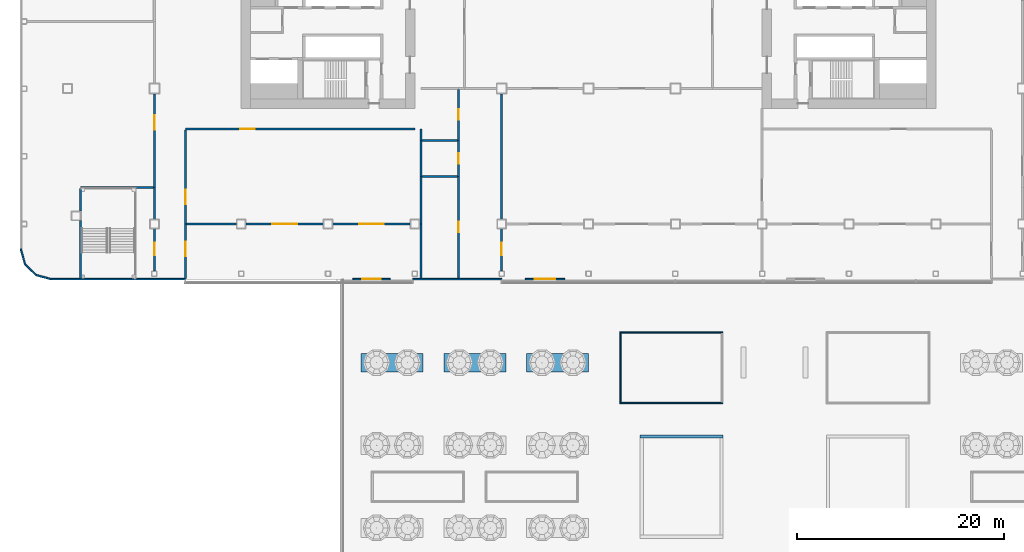
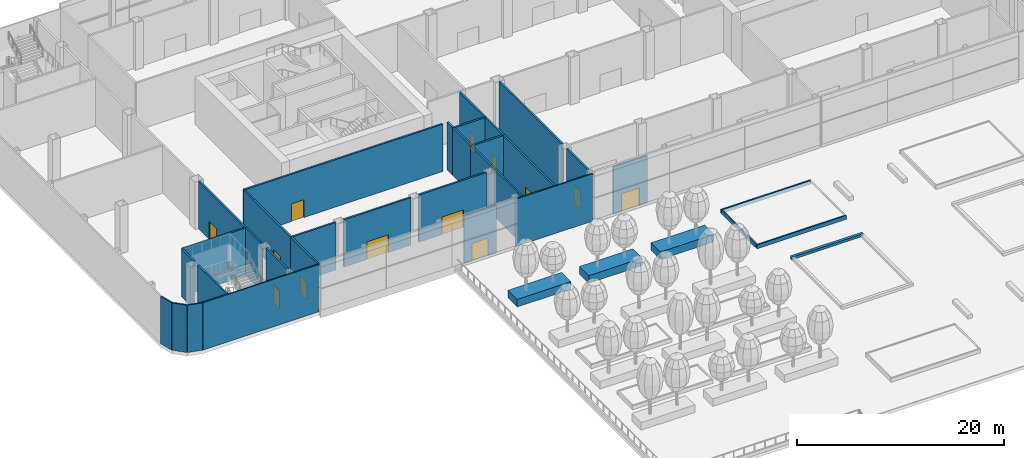
# One storey, part 30 of 100: 37 walls, 13 doors, 13 openings.
"""IFC4 building model written with IfcOpenShell, lengths in metres."""

from ifc_helpers import new_model, si_unit, direction, frame, frame_2d, origin, place, context, subcontext, project, spatial, rectangle, extrude, material, layer, layer_set, type_object, element, fill, save


model = new_model("IFC4")

# Units and contexts
model_context = context("Model", 3, precision=1e-05, world=origin(), true_north=direction((0.0, 1.0)))
body_context = subcontext(model_context, "Body", "Model", "MODEL_VIEW")
ifc_project = project(units=[si_unit("LENGTHUNIT", "METRE"), si_unit("AREAUNIT", "SQUARE_METRE"), si_unit("VOLUMEUNIT", "CUBIC_METRE"), si_unit("PLANEANGLEUNIT", "RADIAN"), si_unit("MASSUNIT", "GRAM", prefix="KILO")], contexts=[model_context])

# Site, building, storey
site_placement = place(None, origin())
site = spatial("IfcSite", under=ifc_project, at=site_placement, CompositionType="ELEMENT")
building_placement = place(site_placement, origin())
building = spatial("IfcBuilding", under=site, at=building_placement, Name="Hakoniwa Tower and Hamabe Station Hall", CompositionType="ELEMENT")
storey_placement = place(building_placement, frame((0.0, 0.0, 9.0)))
storey = spatial("IfcBuildingStorey", under=building, at=storey_placement, Name="L02", CompositionType="ELEMENT", Elevation=9.0)

# Walls
ifc_material_1 = material(Name="Concrete C30", Category="concrete")
ifc_layer_1 = layer(ifc_material_1, 0.300048828125)
ifc_layer_set_1 = layer_set([ifc_layer_1], Name="DECK BASIN WALL 300X300")
wall_type_1 = type_object("IfcWallType", Name="DECK BASIN WALL 300X300", PredefinedType="STANDARD", material=ifc_layer_set_1)
wall_1_placement = place(storey_placement, frame((5.0, -40.14990234375, 0.0), z_axis=(0.0, 0.0, 1.0), x_axis=(1.0, 0.0, 0.0)))
element("IfcWall", 1, at=wall_1_placement, inside=storey, type_object=wall_type_1, Name="Water feature 1 wall 2", PredefinedType="STANDARD", context=body_context, shape_type="SweptSolid", body=[
    extrude(rectangle(XDim=8.0, YDim=0.300048828125, at=frame_2d((4.0, 0.0))), origin(), (0.0, 0.0, 1.0), 0.300048828125),
])
ifc_material_2 = material(Name="Concrete C30", Category="concrete")
ifc_layer_2 = layer(ifc_material_2, 0.14990234375)
ifc_layer_set_2 = layer_set([ifc_layer_2], Name="DECK BED KERB 150X450")
wall_type_2 = type_object("IfcWallType", Name="DECK BED KERB 150X450", PredefinedType="STANDARD", material=ifc_layer_set_2)
for number, where, z_axis, x_axis, name in (
    (2, (3.0, -36.925048828125, 0.0), (0.0, 0.0, 1.0), (1.0, 0.0, 0.0), "Planting bed 03 kerb 1"),
    (3, (3.0, -30.074951171875, 0.0), (0.0, 0.0, 1.0), (1.0, 0.0, 0.0), "Planting bed 03 kerb 2"),
):
    element("IfcWall", number, at=place(storey_placement, frame(where, z_axis=z_axis, x_axis=x_axis)), inside=storey, type_object=wall_type_2, Name=name, PredefinedType="STANDARD", context=body_context, shape_type="SweptSolid", body=[
        extrude(rectangle(XDim=10.0, YDim=0.14990234375, at=frame_2d((5.0, 0.0))), origin(), (0.0, 0.0, 1.0), 0.449951171875),
    ])
wall_2_placement = place(storey_placement, frame((3.074951171875, -36.85009765625, 0.0), z_axis=(0.0, 0.0, 1.0), x_axis=(0.0, 1.0, 0.0)))
element("IfcWall", 4, at=wall_2_placement, inside=storey, type_object=wall_type_2, Name="Planting bed 03 kerb 3", PredefinedType="STANDARD", context=body_context, shape_type="SweptSolid", body=[
    extrude(rectangle(XDim=6.7001953125, YDim=0.14990234375, at=frame_2d((3.35009765625, 0.0))), origin(), (0.0, 0.0, 1.0), 0.449951171875),
])
ifc_material_3 = material(Name="Concrete C30", Category="concrete")
ifc_layer_3 = layer(ifc_material_3, 1.800048828125)
ifc_layer_set_3 = layer_set([ifc_layer_3], Name="DECK PLANTER 1800 WIDE 900 DEEP")
wall_type_3 = type_object("IfcWallType", Name="DECK PLANTER 1800 WIDE 900 DEEP", PredefinedType="STANDARD", material=ifc_layer_set_3)
for number, where, z_axis, x_axis, name in (
    (5, (-22.0, -33.0, 0.0), (0.0, 0.0, 1.0), (1.0, 0.0, 0.0), "Planter 19"),
    (6, (-14.0, -33.0, 0.0), (0.0, 0.0, 1.0), (1.0, 0.0, 0.0), "Planter 20"),
    (7, (-6.0, -33.0, 0.0), (0.0, 0.0, 1.0), (1.0, 0.0, 0.0), "Planter 21"),
):
    element("IfcWall", number, at=place(storey_placement, frame(where, z_axis=z_axis, x_axis=x_axis)), inside=storey, type_object=wall_type_3, Name=name, PredefinedType="STANDARD", context=body_context, shape_type="SweptSolid", body=[
        extrude(rectangle(XDim=6.0, YDim=1.800048828125, at=frame_2d((3.0, 0.0))), origin(), (0.0, 0.0, 1.0), 0.89990234375),
    ])

# Wall, opening, door
ifc_material_4 = material(Name="Dark glass-faced aluminium panel", Category="aluminium")
ifc_layer_4 = layer(ifc_material_4, 0.14990234375)
ifc_layer_set_4 = layer_set([ifc_layer_4], Name="EXTERNAL WALL 150 EI 60")
wall_type_4 = type_object("IfcWallType", Name="EXTERNAL WALL 150 EI 60", PredefinedType="STANDARD", material=ifc_layer_set_4)
wall_3_placement = place(storey_placement, frame((-2.300048828125, -24.925048828125, 0.0), z_axis=(0.0, 0.0, 1.0), x_axis=(-1.0, 0.0, 0.0)))
wall_3 = element("IfcWall", 8, at=wall_3_placement, inside=storey, type_object=wall_type_4, Name="External wall L02 4-3", PredefinedType="STANDARD", context=body_context, shape_type="SweptSolid", body=[
    extrude(rectangle(XDim=3.800048828125, YDim=0.14990234375, at=frame_2d((1.89990234375, 0.0))), origin(), (0.0, 0.0, 1.0), 5.60009765625),
])
opening_1_placement = place(wall_3_placement, frame((0.89990234375, 0.0, 0.0)))
opening_1 = element("IfcOpeningElement", 9, at=opening_1_placement, cuts=wall_3, Name="Opening ED-S-10", PredefinedType="OPENING", context=body_context, shape_type="SweptSolid", body=[
    extrude(rectangle(XDim=2.0, YDim=2.10009765625, at=frame_2d((1.0, 1.050048828125))), frame((0.0, 0.0849609375, 0.0), z_axis=(0.0, -1.0, 0.0), x_axis=(1.0, 0.0, 0.0)), (0.0, 0.0, 1.0), 0.169921875),
])
ifc_material_5 = material(Name="Glazed aluminium door", Category="aluminium")
door_type_1 = type_object("IfcDoorType", Name="DOUBLE GLAZED DOOR 2000X2100", OperationType="DOUBLE_DOOR_DOUBLE_SWING", PredefinedType="DOOR", material=ifc_material_5)
door_1_placement = place(opening_1_placement, origin())
door_1 = element("IfcDoor", 10, at=door_1_placement, inside=storey, type_object=door_type_1, Name="Entrance door", OperationType="DOUBLE_DOOR_DOUBLE_SWING", OverallHeight=2.10009765625, OverallWidth=2.0, PredefinedType="DOOR", context=body_context, shape_type="SweptSolid", body=[
    extrude(rectangle(XDim=2.0, YDim=2.10009765625, at=frame_2d((1.0, 1.050048828125))), frame((0.0, 0.02490234375, 0.0), z_axis=(0.0, -1.0, 0.0), x_axis=(1.0, 0.0, 0.0)), (0.0, 0.0, 1.0), 0.050048828125),
])
fill(opening_1, door_1)

# Wall
wall_4_placement = place(storey_placement, frame((-8.39990234375, -24.925048828125, 0.0), z_axis=(0.0, 0.0, 1.0), x_axis=(-1.0, 0.0, 0.0)))
element("IfcWall", 11, at=wall_4_placement, inside=storey, type_object=wall_type_4, Name="External wall L02 4-4", PredefinedType="STANDARD", context=body_context, shape_type="SweptSolid", body=[
    extrude(rectangle(XDim=8.60009765625, YDim=0.14990234375, at=frame_2d((4.300048828125, 0.0))), origin(), (0.0, 0.0, 1.0), 5.60009765625),
])

# Wall, opening, door
wall_5_placement = place(storey_placement, frame((-19.199951171875, -24.925048828125, 0.0), z_axis=(0.0, 0.0, 1.0), x_axis=(-1.0, 0.0, 0.0)))
wall_5 = element("IfcWall", 12, at=wall_5_placement, inside=storey, type_object=wall_type_4, Name="External wall L02 4-5", PredefinedType="STANDARD", context=body_context, shape_type="SweptSolid", body=[
    extrude(rectangle(XDim=3.60009765625, YDim=0.14990234375, at=frame_2d((1.800048828125, 0.0))), origin(), (0.0, 0.0, 1.0), 5.60009765625),
])
opening_2_placement = place(wall_5_placement, frame((0.89990234375, 0.0, 0.0)))
opening_2 = element("IfcOpeningElement", 13, at=opening_2_placement, cuts=wall_5, Name="Opening ED-S-09", PredefinedType="OPENING", context=body_context, shape_type="SweptSolid", body=[
    extrude(rectangle(XDim=1.800048828125, YDim=2.10009765625, at=frame_2d((0.89990234375, 1.050048828125))), frame((0.0, 0.0849609375, 0.0), z_axis=(0.0, -1.0, 0.0), x_axis=(1.0, 0.0, 0.0)), (0.0, 0.0, 1.0), 0.169921875),
])
ifc_material_6 = material(Name="Glazed aluminium door", Category="aluminium")
door_type_2 = type_object("IfcDoorType", Name="DOUBLE GLAZED DOOR 1800X2100", OperationType="DOUBLE_DOOR_DOUBLE_SWING", PredefinedType="DOOR", material=ifc_material_6)
door_2_placement = place(opening_2_placement, origin())
door_2 = element("IfcDoor", 14, at=door_2_placement, inside=storey, type_object=door_type_2, Name="Entrance door", OperationType="DOUBLE_DOOR_DOUBLE_SWING", OverallHeight=2.10009765625, OverallWidth=1.800048828125, PredefinedType="DOOR", context=body_context, shape_type="SweptSolid", body=[
    extrude(rectangle(XDim=1.800048828125, YDim=2.10009765625, at=frame_2d((0.89990234375, 1.050048828125))), frame((0.0, 0.02490234375, 0.0), z_axis=(0.0, -1.0, 0.0), x_axis=(1.0, 0.0, 0.0)), (0.0, 0.0, 1.0), 0.050048828125),
])
fill(opening_2, door_2)

# Walls
wall_6_placement = place(storey_placement, frame((-39.0, -24.925048828125, 0.0), z_axis=(0.0, 0.0, 1.0), x_axis=(-1.0, 0.0, 0.0)))
element("IfcWall", 15, at=wall_6_placement, inside=storey, type_object=wall_type_4, Name="External wall L02 4-6", PredefinedType="STANDARD", context=body_context, shape_type="SweptSolid", body=[
    extrude(rectangle(XDim=12.980224609375, YDim=0.14990234375, at=frame_2d((6.490234375, 0.0))), origin(), (0.0, 0.0, 1.0), 5.60009765625),
])
wall_7_placement = place(storey_placement, frame((-51.999755859375, -24.92236328125, 0.0), z_axis=(0.0, 0.0, 1.0), x_axis=(-0.965946591624, 0.258741535379, 0.0)))
element("IfcWall", 16, at=wall_7_placement, inside=storey, type_object=wall_type_4, Name="External wall L02 5-1", PredefinedType="STANDARD", context=body_context, shape_type="SweptSolid", body=[
    extrude(rectangle(XDim=1.49267578125, YDim=0.14990234375, at=frame_2d((0.746337890625, 0.0))), origin(), (0.0, 0.0, 1.0), 5.60009765625),
])
wall_8_placement = place(storey_placement, frame((-53.475341796875, -24.5166015625, 0.0), z_axis=(0.0, 0.0, 1.0), x_axis=(-0.707106781187, 0.707106781187, 0.0)))
element("IfcWall", 17, at=wall_8_placement, inside=storey, type_object=wall_type_4, Name="External wall L02 6-1", PredefinedType="STANDARD", context=body_context, shape_type="SweptSolid", body=[
    extrude(rectangle(XDim=1.47265625, YDim=0.14990234375, at=frame_2d((0.736328125, 0.0))), origin(), (0.0, 0.0, 1.0), 5.60009765625),
])
wall_9_placement = place(storey_placement, frame((-54.5361328125, -23.441650390625, 0.0), z_axis=(0.0, 0.0, 1.0), x_axis=(-0.258741535379, 0.965946591624, 0.0)))
element("IfcWall", 18, at=wall_9_placement, inside=storey, type_object=wall_type_4, Name="External wall L02 7-1", PredefinedType="STANDARD", context=body_context, shape_type="SweptSolid", body=[
    extrude(rectangle(XDim=1.49267578125, YDim=0.14990234375, at=frame_2d((0.746337890625, 0.0))), origin(), (0.0, 0.0, 1.0), 5.60009765625),
])

# Wall, opening, door
ifc_material_7 = material(Name="Fire-rated gypsum board partition")
ifc_layer_5 = layer(ifc_material_7, 0.199951171875)
ifc_layer_set_5 = layer_set([ifc_layer_5], Name="FIRE PARTITION 200 EI 60")
wall_type_5 = type_object("IfcWallType", Name="FIRE PARTITION 200 EI 60", PredefinedType="PARTITIONING", material=ifc_layer_set_5)
wall_10_placement = place(storey_placement, frame((-17.25, -19.60009765625, 0.0), z_axis=(0.0, 0.0, 1.0), x_axis=(-1.0, 0.0, 0.0)))
wall_10 = element("IfcWall", 19, at=wall_10_placement, inside=storey, type_object=wall_type_5, Name="Wall Kaede Terrace Restaurant / Kaede Terrace Gallery", PredefinedType="PARTITIONING", context=body_context, shape_type="SweptSolid", body=[
    extrude(rectangle(XDim=7.5, YDim=0.199951171875, at=frame_2d((3.75, 0.0))), origin(), (0.0, 0.0, 1.0), 5.60009765625),
])
opening_3_placement = place(wall_10_placement, frame((2.550048828125, 0.0, 0.0)))
opening_3 = element("IfcOpeningElement", 20, at=opening_3_placement, cuts=wall_10, Name="Opening PD-L02-019", PredefinedType="OPENING", context=body_context, shape_type="SweptSolid", body=[
    extrude(rectangle(XDim=2.39990234375, YDim=2.10009765625, at=frame_2d((1.199951171875, 1.050048828125))), frame((0.0, 0.10986328125, 0.0), z_axis=(0.0, -1.0, 0.0), x_axis=(1.0, 0.0, 0.0)), (0.0, 0.0, 1.0), 0.219970703125),
])
ifc_material_8 = material(Name="Glazed aluminium door", Category="aluminium")
door_type_3 = type_object("IfcDoorType", Name="DOUBLE GLAZED DOOR 2400X2100", OperationType="DOUBLE_DOOR_DOUBLE_SWING", PredefinedType="DOOR", material=ifc_material_8)
door_3_placement = place(opening_3_placement, origin())
door_3 = element("IfcDoor", 21, at=door_3_placement, inside=storey, type_object=door_type_3, Name="Door PD-L02-019", OperationType="DOUBLE_DOOR_DOUBLE_SWING", OverallHeight=2.10009765625, OverallWidth=2.39990234375, PredefinedType="DOOR", context=body_context, shape_type="SweptSolid", body=[
    extrude(rectangle(XDim=2.39990234375, YDim=2.10009765625, at=frame_2d((1.199951171875, 1.050048828125))), frame((0.0, 0.02490234375, 0.0), z_axis=(0.0, -1.0, 0.0), x_axis=(1.0, 0.0, 0.0)), (0.0, 0.0, 1.0), 0.050048828125),
])
fill(opening_3, door_3)

wall_11_placement = place(storey_placement, frame((-25.64990234375, -19.60009765625, 0.0), z_axis=(0.0, 0.0, 1.0), x_axis=(-1.0, 0.0, 0.0)))
wall_11 = element("IfcWall", 22, at=wall_11_placement, inside=storey, type_object=wall_type_5, Name="Wall Kaede Terrace Restaurant / Kaede Terrace Gallery", PredefinedType="PARTITIONING", context=body_context, shape_type="SweptSolid", body=[
    extrude(rectangle(XDim=7.5, YDim=0.199951171875, at=frame_2d((3.75, 0.0))), origin(), (0.0, 0.0, 1.0), 5.60009765625),
])
opening_4_placement = place(wall_11_placement, frame((2.550048828125, 0.0, 0.0)))
opening_4 = element("IfcOpeningElement", 23, at=opening_4_placement, cuts=wall_11, Name="Opening PD-L02-018", PredefinedType="OPENING", context=body_context, shape_type="SweptSolid", body=[
    extrude(rectangle(XDim=2.39990234375, YDim=2.10009765625, at=frame_2d((1.199951171875, 1.050048828125))), frame((0.0, 0.10986328125, 0.0), z_axis=(0.0, -1.0, 0.0), x_axis=(1.0, 0.0, 0.0)), (0.0, 0.0, 1.0), 0.219970703125),
])
door_4_placement = place(opening_4_placement, origin())
door_4 = element("IfcDoor", 24, at=door_4_placement, inside=storey, type_object=door_type_3, Name="Door PD-L02-018", OperationType="DOUBLE_DOOR_DOUBLE_SWING", OverallHeight=2.10009765625, OverallWidth=2.39990234375, PredefinedType="DOOR", context=body_context, shape_type="SweptSolid", body=[
    extrude(rectangle(XDim=2.39990234375, YDim=2.10009765625, at=frame_2d((1.199951171875, 1.050048828125))), frame((0.0, 0.02490234375, 0.0), z_axis=(0.0, -1.0, 0.0), x_axis=(1.0, 0.0, 0.0)), (0.0, 0.0, 1.0), 0.050048828125),
])
fill(opening_4, door_4)

# Walls
wall_12_placement = place(storey_placement, frame((-34.050048828125, -19.60009765625, 0.0), z_axis=(0.0, 0.0, 1.0), x_axis=(-1.0, 0.0, 0.0)))
element("IfcWall", 25, at=wall_12_placement, inside=storey, type_object=wall_type_5, Name="Wall Kaede Terrace Restaurant / Kaede Terrace Gallery", PredefinedType="PARTITIONING", context=body_context, shape_type="SweptSolid", body=[
    extrude(rectangle(XDim=4.849853515625, YDim=0.199951171875, at=frame_2d((2.4248046875, 0.0))), origin(), (0.0, 0.0, 1.0), 5.60009765625),
])
wall_13_placement = place(storey_placement, frame((-16.199951171875, -15.0, 0.0), z_axis=(0.0, 0.0, 1.0), x_axis=(0.0, 1.0, 0.0)))
element("IfcWall", 26, at=wall_13_placement, inside=storey, type_object=wall_type_5, Name="Wall Accessible WC / Kaede Terrace Restaurant", PredefinedType="PARTITIONING", context=body_context, shape_type="SweptSolid", body=[
    extrude(rectangle(XDim=3.5, YDim=0.199951171875, at=frame_2d((1.75, 0.0))), origin(), (0.0, 0.0, 1.0), 5.60009765625),
])
wall_14_placement = place(storey_placement, frame((-16.10009765625, -11.5, 0.0), z_axis=(0.0, 0.0, 1.0), x_axis=(1.0, 0.0, 0.0)))
element("IfcWall", 27, at=wall_14_placement, inside=storey, type_object=wall_type_5, Name="Wall Accessible WC / Men's WC", PredefinedType="PARTITIONING", context=body_context, shape_type="SweptSolid", body=[
    extrude(rectangle(XDim=3.400146484375, YDim=0.199951171875, at=frame_2d((1.7001953125, 0.0))), origin(), (0.0, 0.0, 1.0), 5.60009765625),
])

# Wall, opening, door
wall_15_placement = place(storey_placement, frame((-8.39990234375, -20.050048828125, 0.0), z_axis=(0.0, 0.0, 1.0), x_axis=(0.0, -1.0, 0.0)))
wall_15 = element("IfcWall", 28, at=wall_15_placement, inside=storey, type_object=wall_type_5, Name="Wall WC Lobby / Garden Lobby", PredefinedType="PARTITIONING", context=body_context, shape_type="SweptSolid", body=[
    extrude(rectangle(XDim=4.099853515625, YDim=0.199951171875, at=frame_2d((2.0498046875, 0.0))), origin(), (0.0, 0.0, 1.0), 5.60009765625),
])
opening_5_placement = place(wall_15_placement, frame((1.35009765625, 0.0, 0.0)))
opening_5 = element("IfcOpeningElement", 29, at=opening_5_placement, cuts=wall_15, Name="Opening PD-L02-010", PredefinedType="OPENING", context=body_context, shape_type="SweptSolid", body=[
    extrude(rectangle(XDim=1.199951171875, YDim=2.10009765625, at=frame_2d((0.60009765625, 1.050048828125))), frame((0.0, 0.10986328125, 0.0), z_axis=(0.0, -1.0, 0.0), x_axis=(1.0, 0.0, 0.0)), (0.0, 0.0, 1.0), 0.219970703125),
])
ifc_material_9 = material(Name="Timber door leaf", Category="wood")
door_type_4 = type_object("IfcDoorType", Name="SINGLE DOOR 1200X2100", OperationType="SINGLE_SWING_LEFT", PredefinedType="DOOR", material=ifc_material_9)
door_5_placement = place(opening_5_placement, origin())
door_5 = element("IfcDoor", 30, at=door_5_placement, inside=storey, type_object=door_type_4, Name="Door PD-L02-010", OperationType="SINGLE_SWING_RIGHT", OverallHeight=2.10009765625, OverallWidth=1.199951171875, PredefinedType="DOOR", context=body_context, shape_type="SweptSolid", body=[
    extrude(rectangle(XDim=1.199951171875, YDim=2.10009765625, at=frame_2d((0.60009765625, 1.050048828125))), frame((0.0, 0.02490234375, 0.0), z_axis=(0.0, -1.0, 0.0), x_axis=(1.0, 0.0, 0.0)), (0.0, 0.0, 1.0), 0.050048828125),
])
fill(opening_5, door_5)

# Wall
wall_16_placement = place(storey_placement, frame((-8.39990234375, -7.0, 0.0), z_axis=(0.0, 0.0, 1.0), x_axis=(0.0, -1.0, 0.0)))
element("IfcWall", 31, at=wall_16_placement, inside=storey, type_object=wall_type_5, Name="Wall WC Lobby / Garden Tea Room", PredefinedType="PARTITIONING", context=body_context, shape_type="SweptSolid", body=[
    extrude(rectangle(XDim=12.14990234375, YDim=0.199951171875, at=frame_2d((6.074951171875, 0.0))), origin(), (0.0, 0.0, 1.0), 5.60009765625),
])

# Wall, opening, door
wall_17_placement = place(storey_placement, frame((-12.60009765625, -15.0, 0.0), z_axis=(0.0, 0.0, 1.0), x_axis=(0.0, 1.0, 0.0)))
wall_17 = element("IfcWall", 32, at=wall_17_placement, inside=storey, type_object=wall_type_5, Name="Wall WC Lobby / Accessible WC", PredefinedType="PARTITIONING", context=body_context, shape_type="SweptSolid", body=[
    extrude(rectangle(XDim=3.5, YDim=0.199951171875, at=frame_2d((1.75, 0.0))), origin(), (0.0, 0.0, 1.0), 5.60009765625),
])
opening_6_placement = place(wall_17_placement, frame((1.25, 0.0, 0.0)))
opening_6 = element("IfcOpeningElement", 33, at=opening_6_placement, cuts=wall_17, Name="Opening PD-L02-012", PredefinedType="OPENING", context=body_context, shape_type="SweptSolid", body=[
    extrude(rectangle(XDim=1.0, YDim=2.10009765625, at=frame_2d((0.5, 1.050048828125))), frame((0.0, 0.10986328125, 0.0), z_axis=(0.0, -1.0, 0.0), x_axis=(1.0, 0.0, 0.0)), (0.0, 0.0, 1.0), 0.219970703125),
])
ifc_material_10 = material(Name="Timber door leaf", Category="wood")
door_type_5 = type_object("IfcDoorType", Name="SINGLE DOOR 1000X2100", OperationType="SINGLE_SWING_LEFT", PredefinedType="DOOR", material=ifc_material_10)
door_6_placement = place(opening_6_placement, origin())
door_6 = element("IfcDoor", 34, at=door_6_placement, inside=storey, type_object=door_type_5, Name="Door PD-L02-012", OperationType="SINGLE_SWING_RIGHT", OverallHeight=2.10009765625, OverallWidth=1.0, PredefinedType="DOOR", context=body_context, shape_type="SweptSolid", body=[
    extrude(rectangle(XDim=1.0, YDim=2.10009765625, at=frame_2d((0.5, 1.050048828125))), frame((0.0, 0.02490234375, 0.0), z_axis=(0.0, -1.0, 0.0), x_axis=(1.0, 0.0, 0.0)), (0.0, 0.0, 1.0), 0.050048828125),
])
fill(opening_6, door_6)

wall_18_placement = place(storey_placement, frame((-12.60009765625, -11.5, 0.0), z_axis=(0.0, 0.0, 1.0), x_axis=(0.0, 1.0, 0.0)))
wall_18 = element("IfcWall", 35, at=wall_18_placement, inside=storey, type_object=wall_type_5, Name="Wall WC Lobby / Men's WC", PredefinedType="PARTITIONING", context=body_context, shape_type="SweptSolid", body=[
    extrude(rectangle(XDim=4.89990234375, YDim=0.199951171875, at=frame_2d((2.449951171875, 0.0))), origin(), (0.0, 0.0, 1.0), 5.60009765625),
])
opening_7_placement = place(wall_18_placement, frame((2.0, 0.0, 0.0)))
opening_7 = element("IfcOpeningElement", 36, at=opening_7_placement, cuts=wall_18, Name="Opening PD-L02-011", PredefinedType="OPENING", context=body_context, shape_type="SweptSolid", body=[
    extrude(rectangle(XDim=1.0, YDim=2.10009765625, at=frame_2d((0.5, 1.050048828125))), frame((0.0, 0.10986328125, 0.0), z_axis=(0.0, -1.0, 0.0), x_axis=(1.0, 0.0, 0.0)), (0.0, 0.0, 1.0), 0.219970703125),
])
door_7_placement = place(opening_7_placement, origin())
door_7 = element("IfcDoor", 37, at=door_7_placement, inside=storey, type_object=door_type_5, Name="Door PD-L02-011", OperationType="SINGLE_SWING_LEFT", OverallHeight=2.10009765625, OverallWidth=1.0, PredefinedType="DOOR", context=body_context, shape_type="SweptSolid", body=[
    extrude(rectangle(XDim=1.0, YDim=2.10009765625, at=frame_2d((0.5, 1.050048828125))), frame((0.0, 0.02490234375, 0.0), z_axis=(0.0, -1.0, 0.0), x_axis=(1.0, 0.0, 0.0)), (0.0, 0.0, 1.0), 0.050048828125),
])
fill(opening_7, door_7)

wall_19_placement = place(storey_placement, frame((-12.60009765625, -24.85009765625, 0.0), z_axis=(0.0, 0.0, 1.0), x_axis=(0.0, 1.0, 0.0)))
wall_19 = element("IfcWall", 38, at=wall_19_placement, inside=storey, type_object=wall_type_5, Name="Wall WC Lobby / Women's WC", PredefinedType="PARTITIONING", context=body_context, shape_type="SweptSolid", body=[
    extrude(rectangle(XDim=9.85009765625, YDim=0.199951171875, at=frame_2d((4.925048828125, 0.0))), origin(), (0.0, 0.0, 1.0), 5.60009765625),
])
opening_8_placement = place(wall_19_placement, frame((4.449951171875, 0.0, 0.0)))
opening_8 = element("IfcOpeningElement", 39, at=opening_8_placement, cuts=wall_19, Name="Opening PD-L02-013", PredefinedType="OPENING", context=body_context, shape_type="SweptSolid", body=[
    extrude(rectangle(XDim=1.0, YDim=2.10009765625, at=frame_2d((0.5, 1.050048828125))), frame((0.0, 0.10986328125, 0.0), z_axis=(0.0, -1.0, 0.0), x_axis=(1.0, 0.0, 0.0)), (0.0, 0.0, 1.0), 0.219970703125),
])
door_8_placement = place(opening_8_placement, origin())
door_8 = element("IfcDoor", 40, at=door_8_placement, inside=storey, type_object=door_type_5, Name="Door PD-L02-013", OperationType="SINGLE_SWING_LEFT", OverallHeight=2.10009765625, OverallWidth=1.0, PredefinedType="DOOR", context=body_context, shape_type="SweptSolid", body=[
    extrude(rectangle(XDim=1.0, YDim=2.10009765625, at=frame_2d((0.5, 1.050048828125))), frame((0.0, 0.02490234375, 0.0), z_axis=(0.0, -1.0, 0.0), x_axis=(1.0, 0.0, 0.0)), (0.0, 0.0, 1.0), 0.050048828125),
])
fill(opening_8, door_8)

# Walls
wall_20_placement = place(storey_placement, frame((-16.199951171875, -11.5, 0.0), z_axis=(0.0, 0.0, 1.0), x_axis=(0.0, 1.0, 0.0)))
element("IfcWall", 41, at=wall_20_placement, inside=storey, type_object=wall_type_5, Name="Wall Men's WC / Kaede Terrace Restaurant", PredefinedType="PARTITIONING", context=body_context, shape_type="SweptSolid", body=[
    extrude(rectangle(XDim=1.10009765625, YDim=0.199951171875, at=frame_2d((0.550048828125, 0.0))), origin(), (0.0, 0.0, 1.0), 5.60009765625),
])
wall_21_placement = place(storey_placement, frame((-16.199951171875, -19.60009765625, 0.0), z_axis=(0.0, 0.0, 1.0), x_axis=(0.0, 1.0, 0.0)))
element("IfcWall", 42, at=wall_21_placement, inside=storey, type_object=wall_type_5, Name="Wall Women's WC / Kaede Terrace Restaurant", PredefinedType="PARTITIONING", context=body_context, shape_type="SweptSolid", body=[
    extrude(rectangle(XDim=4.60009765625, YDim=0.199951171875, at=frame_2d((2.300048828125, 0.0))), origin(), (0.0, 0.0, 1.0), 5.60009765625),
])
wall_22_placement = place(storey_placement, frame((-16.199951171875, -24.85009765625, 0.0), z_axis=(0.0, 0.0, 1.0), x_axis=(0.0, 1.0, 0.0)))
element("IfcWall", 43, at=wall_22_placement, inside=storey, type_object=wall_type_5, Name="Wall Women's WC / Kaede Terrace Gallery", PredefinedType="PARTITIONING", context=body_context, shape_type="SweptSolid", body=[
    extrude(rectangle(XDim=5.25, YDim=0.199951171875, at=frame_2d((2.625, 0.0))), origin(), (0.0, 0.0, 1.0), 5.60009765625),
])
wall_23_placement = place(storey_placement, frame((-16.10009765625, -15.0, 0.0), z_axis=(0.0, 0.0, 1.0), x_axis=(1.0, 0.0, 0.0)))
element("IfcWall", 44, at=wall_23_placement, inside=storey, type_object=wall_type_5, Name="Wall Women's WC / Accessible WC", PredefinedType="PARTITIONING", context=body_context, shape_type="SweptSolid", body=[
    extrude(rectangle(XDim=3.400146484375, YDim=0.199951171875, at=frame_2d((1.7001953125, 0.0))), origin(), (0.0, 0.0, 1.0), 5.60009765625),
])

# Wall, opening, door
wall_24_placement = place(storey_placement, frame((-42.0, -16.050048828125, 0.0), z_axis=(0.0, 0.0, 1.0), x_axis=(0.0, 1.0, 0.0)))
wall_24 = element("IfcWall", 45, at=wall_24_placement, inside=storey, type_object=wall_type_5, Name="Wall West Service Corridor / Restaurant Kitchen", PredefinedType="PARTITIONING", context=body_context, shape_type="SweptSolid", body=[
    extrude(rectangle(XDim=9.050048828125, YDim=0.199951171875, at=frame_2d((4.52490234375, 0.0))), origin(), (0.0, 0.0, 1.0), 5.60009765625),
])
opening_9_placement = place(wall_24_placement, frame((5.574951171875, 0.0, 0.0)))
opening_9 = element("IfcOpeningElement", 46, at=opening_9_placement, cuts=wall_24, Name="Opening PD-L02-032", PredefinedType="OPENING", context=body_context, shape_type="SweptSolid", body=[
    extrude(rectangle(XDim=1.39990234375, YDim=2.10009765625, at=frame_2d((0.699951171875, 1.050048828125))), frame((0.0, 0.10986328125, 0.0), z_axis=(0.0, -1.0, 0.0), x_axis=(1.0, 0.0, 0.0)), (0.0, 0.0, 1.0), 0.219970703125),
])
ifc_material_11 = material(Name="Steel fire door", Category="steel")
door_type_6 = type_object("IfcDoorType", Name="FIRE DOOR 1400X2100 FD60", OperationType="SINGLE_SWING_LEFT", PredefinedType="DOOR", material=ifc_material_11)
door_9_placement = place(opening_9_placement, origin())
door_9 = element("IfcDoor", 47, at=door_9_placement, inside=storey, type_object=door_type_6, Name="Door PD-L02-032", OperationType="SINGLE_SWING_RIGHT", OverallHeight=2.10009765625, OverallWidth=1.39990234375, PredefinedType="DOOR", context=body_context, shape_type="SweptSolid", body=[
    extrude(rectangle(XDim=1.39990234375, YDim=2.10009765625, at=frame_2d((0.699951171875, 1.050048828125))), frame((0.0, 0.02490234375, 0.0), z_axis=(0.0, -1.0, 0.0), x_axis=(1.0, 0.0, 0.0)), (0.0, 0.0, 1.0), 0.050048828125),
])
fill(opening_9, door_9)

wall_25_placement = place(storey_placement, frame((-39.0, -10.5, 0.0), z_axis=(0.0, 0.0, 1.0), x_axis=(0.0, -1.0, 0.0)))
wall_25 = element("IfcWall", 48, at=wall_25_placement, inside=storey, type_object=wall_type_5, Name="Wall West Service Corridor / Kaede Terrace Restaurant", PredefinedType="PARTITIONING", context=body_context, shape_type="SweptSolid", body=[
    extrude(rectangle(XDim=9.10009765625, YDim=0.199951171875, at=frame_2d((4.550048828125, 0.0))), origin(), (0.0, 0.0, 1.0), 5.60009765625),
])
opening_10_placement = place(wall_25_placement, frame((5.800048828125, 0.0, 0.0)))
opening_10 = element("IfcOpeningElement", 49, at=opening_10_placement, cuts=wall_25, Name="Opening PD-L02-015", PredefinedType="OPENING", context=body_context, shape_type="SweptSolid", body=[
    extrude(rectangle(XDim=1.39990234375, YDim=2.10009765625, at=frame_2d((0.699951171875, 1.050048828125))), frame((0.0, 0.10986328125, 0.0), z_axis=(0.0, -1.0, 0.0), x_axis=(1.0, 0.0, 0.0)), (0.0, 0.0, 1.0), 0.219970703125),
])
door_10_placement = place(opening_10_placement, origin())
door_10 = element("IfcDoor", 50, at=door_10_placement, inside=storey, type_object=door_type_6, Name="Door PD-L02-015", OperationType="SINGLE_SWING_LEFT", OverallHeight=2.10009765625, OverallWidth=1.39990234375, PredefinedType="DOOR", context=body_context, shape_type="SweptSolid", body=[
    extrude(rectangle(XDim=1.39990234375, YDim=2.10009765625, at=frame_2d((0.699951171875, 1.050048828125))), frame((0.0, 0.02490234375, 0.0), z_axis=(0.0, -1.0, 0.0), x_axis=(1.0, 0.0, 0.0)), (0.0, 0.0, 1.0), 0.050048828125),
])
fill(opening_10, door_10)

wall_26_placement = place(storey_placement, frame((-16.800048828125, -10.39990234375, 0.0), z_axis=(0.0, 0.0, 1.0), x_axis=(-1.0, 0.0, 0.0)))
wall_26 = element("IfcWall", 51, at=wall_26_placement, inside=storey, type_object=wall_type_5, Name="Wall West Service Corridor / Kaede Terrace Restaurant", PredefinedType="PARTITIONING", context=body_context, shape_type="SweptSolid", body=[
    extrude(rectangle(XDim=22.199951171875, YDim=0.199951171875, at=frame_2d((11.10009765625, 0.0))), origin(), (0.0, 0.0, 1.0), 5.60009765625),
])
opening_11_placement = place(wall_26_placement, frame((15.5, 0.0, 0.0)))
opening_11 = element("IfcOpeningElement", 52, at=opening_11_placement, cuts=wall_26, Name="Opening PD-L02-016", PredefinedType="OPENING", context=body_context, shape_type="SweptSolid", body=[
    extrude(rectangle(XDim=1.39990234375, YDim=2.10009765625, at=frame_2d((0.699951171875, 1.050048828125))), frame((0.0, 0.10986328125, 0.0), z_axis=(0.0, -1.0, 0.0), x_axis=(1.0, 0.0, 0.0)), (0.0, 0.0, 1.0), 0.219970703125),
])
door_11_placement = place(opening_11_placement, origin())
door_11 = element("IfcDoor", 53, at=door_11_placement, inside=storey, type_object=door_type_6, Name="Door PD-L02-016", OperationType="SINGLE_SWING_RIGHT", OverallHeight=2.10009765625, OverallWidth=1.39990234375, PredefinedType="DOOR", context=body_context, shape_type="SweptSolid", body=[
    extrude(rectangle(XDim=1.39990234375, YDim=2.10009765625, at=frame_2d((0.699951171875, 1.050048828125))), frame((0.0, 0.02490234375, 0.0), z_axis=(0.0, -1.0, 0.0), x_axis=(1.0, 0.0, 0.0)), (0.0, 0.0, 1.0), 0.050048828125),
])
fill(opening_11, door_11)

wall_27_placement = place(storey_placement, frame((-39.0, -19.60009765625, 0.0), z_axis=(0.0, 0.0, 1.0), x_axis=(0.0, -1.0, 0.0)))
wall_27 = element("IfcWall", 54, at=wall_27_placement, inside=storey, type_object=wall_type_5, Name="Wall West Service Corridor / Kaede Terrace Gallery", PredefinedType="PARTITIONING", context=body_context, shape_type="SweptSolid", body=[
    extrude(rectangle(XDim=5.25, YDim=0.199951171875, at=frame_2d((2.625, 0.0))), origin(), (0.0, 0.0, 1.0), 5.60009765625),
])
opening_12_placement = place(wall_27_placement, frame((1.699951171875, 0.0, 0.0)))
opening_12 = element("IfcOpeningElement", 55, at=opening_12_placement, cuts=wall_27, Name="Opening PD-L02-017", PredefinedType="OPENING", context=body_context, shape_type="SweptSolid", body=[
    extrude(rectangle(XDim=1.39990234375, YDim=2.10009765625, at=frame_2d((0.699951171875, 1.050048828125))), frame((0.0, 0.10986328125, 0.0), z_axis=(0.0, -1.0, 0.0), x_axis=(1.0, 0.0, 0.0)), (0.0, 0.0, 1.0), 0.219970703125),
])
door_12_placement = place(opening_12_placement, origin())
door_12 = element("IfcDoor", 56, at=door_12_placement, inside=storey, type_object=door_type_6, Name="Door PD-L02-017", OperationType="SINGLE_SWING_RIGHT", OverallHeight=2.10009765625, OverallWidth=1.39990234375, PredefinedType="DOOR", context=body_context, shape_type="SweptSolid", body=[
    extrude(rectangle(XDim=1.39990234375, YDim=2.10009765625, at=frame_2d((0.699951171875, 1.050048828125))), frame((0.0, 0.02490234375, 0.0), z_axis=(0.0, -1.0, 0.0), x_axis=(1.0, 0.0, 0.0)), (0.0, 0.0, 1.0), 0.050048828125),
])
fill(opening_12, door_12)

# Walls
ifc_material_12 = material(Name="Concrete C40", Category="concrete")
ifc_layer_6 = layer(ifc_material_12, 0.199951171875)
ifc_layer_set_6 = layer_set([ifc_layer_6], Name="RC WALL 200 EI 60 C40")
wall_type_6 = type_object("IfcWallType", Name="RC WALL 200 EI 60 C40", PredefinedType="SHEAR", material=ifc_layer_set_6)
wall_28_placement = place(storey_placement, frame((-49.14990234375, -24.85009765625, 0.0), z_axis=(0.0, 0.0, 1.0), x_axis=(0.0, 1.0, 0.0)))
element("IfcWall", 57, at=wall_28_placement, inside=storey, type_object=wall_type_6, Name="Wall Escape Stair PS4 / Restaurant Kitchen", PredefinedType="SHEAR", context=body_context, shape_type="SweptSolid", body=[
    extrude(rectangle(XDim=5.596923828125, YDim=0.199951171875, at=frame_2d((2.79833984375, 0.0))), origin(), (0.0, 0.0, 1.0), 5.60009765625),
])
wall_29_placement = place(storey_placement, frame((-49.14990234375, -18.35302734375, 0.0), z_axis=(0.0, 0.0, 1.0), x_axis=(0.0, 1.0, 0.0)))
element("IfcWall", 58, at=wall_29_placement, inside=storey, type_object=wall_type_6, Name="Wall Escape Stair PS4 / Restaurant Kitchen", PredefinedType="SHEAR", context=body_context, shape_type="SweptSolid", body=[
    extrude(rectangle(XDim=2.203125, YDim=0.199951171875, at=frame_2d((1.1015625, 0.0))), origin(), (0.0, 0.0, 1.0), 5.60009765625),
])
wall_30_placement = place(storey_placement, frame((-49.14990234375, -16.050048828125, 0.0), z_axis=(0.0, 0.0, 1.0), x_axis=(1.0, 0.0, 0.0)))
element("IfcWall", 59, at=wall_30_placement, inside=storey, type_object=wall_type_6, Name="Wall Escape Stair PS4 / Restaurant Kitchen", PredefinedType="SHEAR", context=body_context, shape_type="SweptSolid", body=[
    extrude(rectangle(XDim=7.0498046875, YDim=0.199951171875, at=frame_2d((3.52490234375, 0.0))), origin(), (0.0, 0.0, 1.0), 5.60009765625),
])
wall_31_placement = place(storey_placement, frame((-42.0, -16.050048828125, 0.0), z_axis=(0.0, 0.0, 1.0), x_axis=(0.0, -1.0, 0.0)))
element("IfcWall", 60, at=wall_31_placement, inside=storey, type_object=wall_type_6, Name="Wall Escape Stair PS4 / West Service Corridor", PredefinedType="SHEAR", context=body_context, shape_type="SweptSolid", body=[
    extrude(rectangle(XDim=3.099853515625, YDim=0.199951171875, at=frame_2d((1.5498046875, 0.0))), origin(), (0.0, 0.0, 1.0), 5.60009765625),
])

# Wall, opening, door
wall_32_placement = place(storey_placement, frame((-42.0, -20.050048828125, 0.0), z_axis=(0.0, 0.0, 1.0), x_axis=(0.0, -1.0, 0.0)))
wall_32 = element("IfcWall", 61, at=wall_32_placement, inside=storey, type_object=wall_type_6, Name="Wall Escape Stair PS4 / West Service Corridor", PredefinedType="SHEAR", context=body_context, shape_type="SweptSolid", body=[
    extrude(rectangle(XDim=4.099853515625, YDim=0.199951171875, at=frame_2d((2.0498046875, 0.0))), origin(), (0.0, 0.0, 1.0), 5.60009765625),
])
opening_13_placement = place(wall_32_placement, frame((1.35009765625, 0.0, 0.0)))
opening_13 = element("IfcOpeningElement", 62, at=opening_13_placement, cuts=wall_32, Name="Opening PD-L02-036", PredefinedType="OPENING", context=body_context, shape_type="SweptSolid", body=[
    extrude(rectangle(XDim=1.199951171875, YDim=2.10009765625, at=frame_2d((0.60009765625, 1.050048828125))), frame((0.0, 0.10986328125, 0.0), z_axis=(0.0, -1.0, 0.0), x_axis=(1.0, 0.0, 0.0)), (0.0, 0.0, 1.0), 0.219970703125),
])
ifc_material_13 = material(Name="Steel fire door", Category="steel")
door_type_7 = type_object("IfcDoorType", Name="FIRE DOOR 1200X2100 FD60", OperationType="SINGLE_SWING_LEFT", PredefinedType="DOOR", material=ifc_material_13)
door_13_placement = place(opening_13_placement, origin())
door_13 = element("IfcDoor", 63, at=door_13_placement, inside=storey, type_object=door_type_7, Name="Escape stair door PS4", OperationType="SINGLE_SWING_LEFT", OverallHeight=2.10009765625, OverallWidth=1.199951171875, PredefinedType="DOOR", context=body_context, shape_type="SweptSolid", body=[
    extrude(rectangle(XDim=1.199951171875, YDim=2.10009765625, at=frame_2d((0.60009765625, 1.050048828125))), frame((0.0, 0.02490234375, 0.0), z_axis=(0.0, -1.0, 0.0), x_axis=(1.0, 0.0, 0.0)), (0.0, 0.0, 1.0), 0.050048828125),
])
fill(opening_13, door_13)

save(model, "model.ifc")
